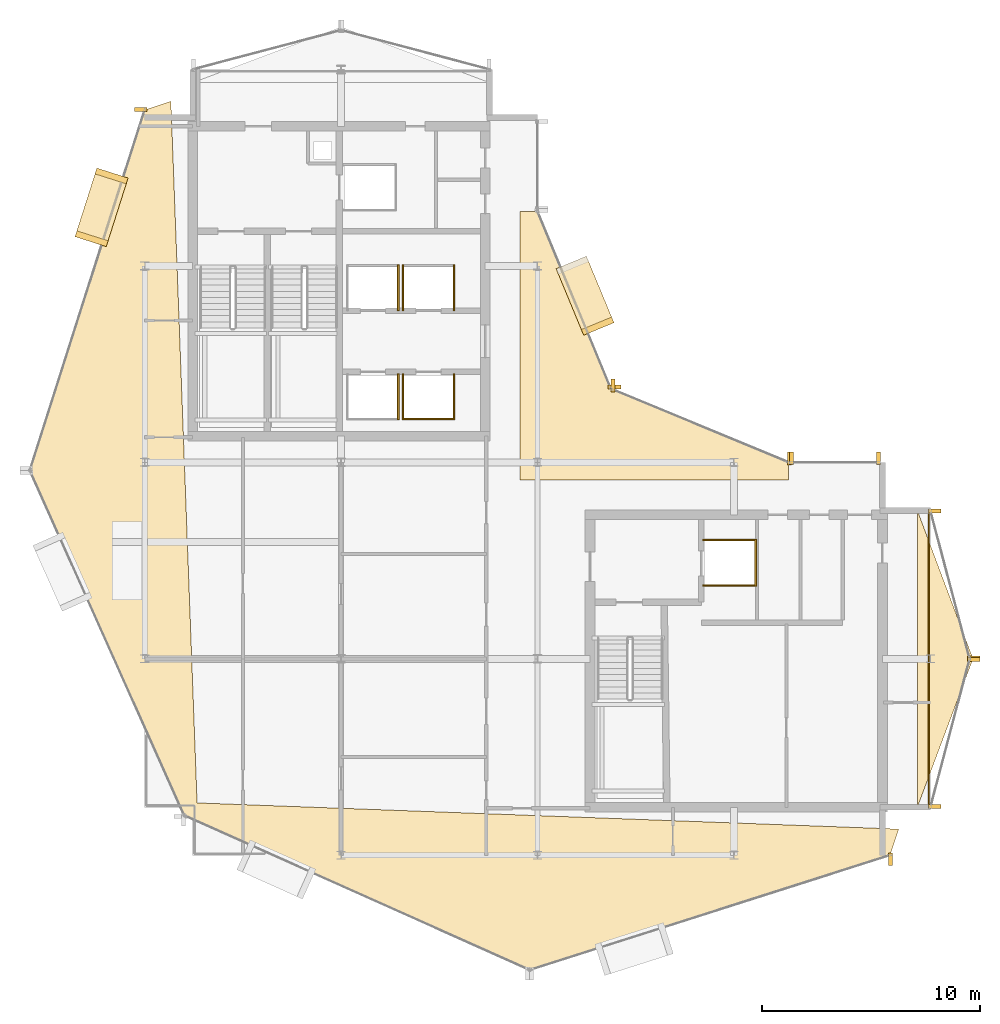
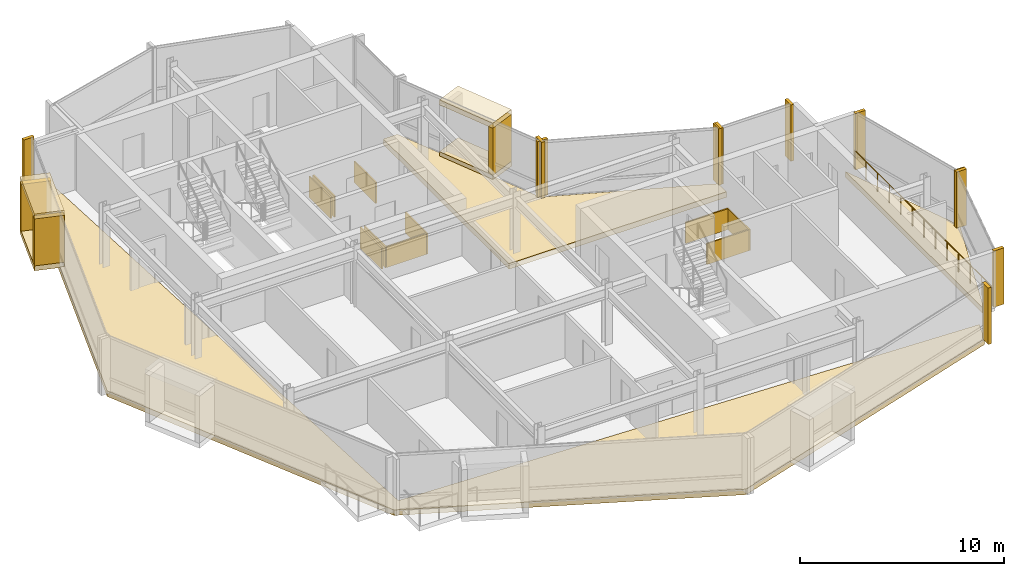
# One storey, part 18 of 19: 31 coverings, 1 railing.
"""IFC4 building model written with IfcOpenShell, lengths in metres."""

from ifc_helpers import new_model, si_unit, direction, frame, origin, origin_2d, place, context, subcontext, project, spatial, polyline, rectangle, circle, outline, extrude, material, layer, layer_set, type_object, element, save


model = new_model("IFC4")

# Units and contexts
model_context = context("Model", 3, precision=1e-05, world=origin(), true_north=direction((0.0, 1.0)))
body_context = subcontext(model_context, "Body", "Model", "MODEL_VIEW")
ifc_project = project(units=[si_unit("LENGTHUNIT", "METRE"), si_unit("AREAUNIT", "SQUARE_METRE"), si_unit("VOLUMEUNIT", "CUBIC_METRE"), si_unit("PLANEANGLEUNIT", "RADIAN"), si_unit("MASSUNIT", "GRAM", prefix="KILO")], contexts=[model_context])

# Site, building, storey
site_placement = place(None, origin())
site = spatial("IfcSite", under=ifc_project, at=site_placement, CompositionType="ELEMENT")
building_placement = place(site_placement, origin())
building = spatial("IfcBuilding", under=site, at=building_placement, Name="Solvaryn Broadcast Tower", CompositionType="ELEMENT")
storey_placement = place(building_placement, frame((0.0, 0.0, 281.5)))
storey = spatial("IfcBuildingStorey", under=building, at=storey_placement, Name="L71", CompositionType="ELEMENT", Elevation=281.5)

# Coverings
ifc_material_1 = material(Name="Fire-Rated Gypsum Shaftwall Liner", Category="concrete")
ifc_layer_1 = layer(ifc_material_1, 0.080078125)
ifc_layer_set_1 = layer_set([ifc_layer_1], Name="CV-SHAFT-LINER")
covering_type_1 = type_object("IfcCoveringType", Name="CV-SHAFT-LINER", PredefinedType="CLADDING", material=ifc_layer_set_1)
covering_1_placement = place(storey_placement, frame((20.614990234375, 30.0, 0.0), z_axis=(0.0, 0.0, 1.0), x_axis=(1.0, 0.0, 0.0)))
element("IfcCovering", 1, at=covering_1_placement, inside=storey, type_object=covering_type_1, Name="L71 PH1 Hoistway Shaft Liner East", PredefinedType="CLADDING", context=body_context, shape_type="SweptSolid", body=[
    extrude(rectangle(XDim=0.080078125, YDim=2.110107421875, at=origin_2d()), origin(), (0.0, 0.0, 1.0), 1.25),
])
covering_2_placement = place(storey_placement, frame((22.0, 28.985107421875, 0.0), z_axis=(0.0, 0.0, 1.0), x_axis=(1.0, 0.0, 0.0)))
element("IfcCovering", 2, at=covering_2_placement, inside=storey, type_object=covering_type_1, Name="L71 PH2 Hoistway Shaft Liner South", PredefinedType="CLADDING", context=body_context, shape_type="SweptSolid", body=[
    extrude(rectangle(XDim=2.409912109375, YDim=0.080078125, at=origin_2d()), origin(), (0.0, 0.0, 1.0), 1.25),
])
for number, where, z_axis, x_axis, name in (
    (3, (23.1650390625, 30.0, 0.0), (0.0, 0.0, 1.0), (1.0, 0.0, 0.0), "L71 PH2 Hoistway Shaft Liner East"),
    (4, (20.8349609375, 30.0, 0.0), (0.0, 0.0, 1.0), (1.0, 0.0, 0.0), "L71 PH2 Hoistway Shaft Liner West"),
    (5, (20.614990234375, 35.0, 0.0), (0.0, 0.0, 1.0), (1.0, 0.0, 0.0), "L71 PH3 Hoistway Shaft Liner East"),
    (6, (23.1650390625, 35.0, 0.0), (0.0, 0.0, 1.0), (1.0, 0.0, 0.0), "L71 PH4 Hoistway Shaft Liner East"),
    (7, (20.8349609375, 35.0, 0.0), (0.0, 0.0, 1.0), (1.0, 0.0, 0.0), "L71 PH4 Hoistway Shaft Liner West"),
):
    element("IfcCovering", number, at=place(storey_placement, frame(where, z_axis=z_axis, x_axis=x_axis)), inside=storey, type_object=covering_type_1, Name=name, PredefinedType="CLADDING", context=body_context, shape_type="SweptSolid", body=[
        extrude(rectangle(XDim=0.080078125, YDim=2.110107421875, at=origin_2d()), origin(), (0.0, 0.0, 1.0), 1.25),
    ])
for number, where, z_axis, x_axis, name in (
    (8, (35.800048828125, 23.43994140625, 0.0), (0.0, 0.0, 1.0), (1.0, 0.0, 0.0), "L71 FL2 Hoistway Shaft Liner North"),
    (9, (35.800048828125, 21.360107421875, 0.0), (0.0, 0.0, 1.0), (1.0, 0.0, 0.0), "L71 FL2 Hoistway Shaft Liner South"),
):
    element("IfcCovering", number, at=place(storey_placement, frame(where, z_axis=z_axis, x_axis=x_axis)), inside=storey, type_object=covering_type_1, Name=name, PredefinedType="CLADDING", context=body_context, shape_type="SweptSolid", body=[
        extrude(rectangle(XDim=2.4599609375, YDim=0.080078125, at=origin_2d()), origin(), (0.0, 0.0, 1.0), 1.25),
    ])
covering_3_placement = place(storey_placement, frame((36.989990234375, 22.39990234375, 0.0), z_axis=(0.0, 0.0, 1.0), x_axis=(1.0, 0.0, 0.0)))
element("IfcCovering", 10, at=covering_3_placement, inside=storey, type_object=covering_type_1, Name="L71 FL2 Hoistway Shaft Liner East", PredefinedType="CLADDING", context=body_context, shape_type="SweptSolid", body=[
    extrude(rectangle(XDim=0.080078125, YDim=2.159912109375, at=origin_2d()), origin(), (0.0, 0.0, 1.0), 1.25),
])
ifc_material_2 = material(Name="Glazed Architectural Terracotta Rainscreen Cladding", Category="masonry")
ifc_layer_2 = layer(ifc_material_2, 0.280029296875)
ifc_layer_set_2 = layer_set([ifc_layer_2], Name="CV-TC-CLAD")
covering_type_2 = type_object("IfcCoveringType", Name="CV-TC-CLAD", PredefinedType="CLADDING", material=ifc_layer_set_2)
for number, where, z_axis, x_axis, name in (
    (11, (7.02197265625, 38.68603515625, 3.080078125), (0.0, 0.0, 1.0), (-0.303534206887, -0.952820541996, 0.0), "L71 Projecting Stone Window Box Hood 1"),
    (12, (7.02197265625, 38.68603515625, -0.01025390625), (0.0, 0.0, 1.0), (-0.303534206887, -0.952820541996, 0.0), "L71 Projecting Stone Window Box Sill 1"),
):
    element("IfcCovering", number, at=place(storey_placement, frame(where, z_axis=z_axis, x_axis=x_axis)), inside=storey, type_object=covering_type_2, Name=name, PredefinedType="CLADDING", context=body_context, shape_type="SweptSolid", body=[
        extrude(rectangle(XDim=3.300048828125, YDim=1.5, at=origin_2d()), origin(), (0.0, 0.0, 1.0), 0.300048828125),
    ])
for number, where, z_axis, x_axis, name in (
    (13, (7.480224609375, 40.124755859375, 0.280029296875), (0.0, 0.0, 1.0), (-0.303534206887, -0.952820541996, 0.0), "L71 Projecting Stone Window Box Cheek 1-1"),
    (14, (6.563720703125, 37.247314453125, 0.280029296875), (0.0, 0.0, 1.0), (-0.303534206887, -0.952820541996, 0.0), "L71 Projecting Stone Window Box Cheek 1-2"),
):
    element("IfcCovering", number, at=place(storey_placement, frame(where, z_axis=z_axis, x_axis=x_axis)), inside=storey, type_object=covering_type_2, Name=name, PredefinedType="CLADDING", context=body_context, shape_type="SweptSolid", body=[
        extrude(rectangle(XDim=0.280029296875, YDim=1.5, at=origin_2d()), origin(), (0.0, 0.0, 1.0), 2.81005859375),
    ])
for number, where, z_axis, x_axis, name in (
    (15, (29.174072265625, 34.636962890625, 3.080078125), (0.0, 0.0, 1.0), (-0.382683432365, 0.923879532511, 0.0), "L71 Projecting Stone Window Box Hood 5"),
    (16, (29.174072265625, 34.636962890625, -0.01025390625), (0.0, 0.0, 1.0), (-0.382683432365, 0.923879532511, 0.0), "L71 Projecting Stone Window Box Sill 5"),
):
    element("IfcCovering", number, at=place(storey_placement, frame(where, z_axis=z_axis, x_axis=x_axis)), inside=storey, type_object=covering_type_2, Name=name, PredefinedType="CLADDING", context=body_context, shape_type="SweptSolid", body=[
        extrude(rectangle(XDim=3.300048828125, YDim=1.5, at=origin_2d()), origin(), (0.0, 0.0, 1.0), 0.300048828125),
    ])
covering_4_placement = place(storey_placement, frame((29.751953125, 33.241943359375, 0.280029296875), z_axis=(0.0, 0.0, 1.0), x_axis=(-0.382683432365, 0.923879532511, 0.0)))
element("IfcCovering", 17, at=covering_4_placement, inside=storey, type_object=covering_type_2, Name="L71 Projecting Stone Window Box Cheek 5-1", PredefinedType="CLADDING", context=body_context, shape_type="SweptSolid", body=[
    extrude(rectangle(XDim=0.280029296875, YDim=1.5, at=origin_2d()), origin(), (0.0, 0.0, 1.0), 2.81005859375),
])
ifc_material_3 = material(Name="Extruded Architectural Terracotta Fin", Category="masonry")
ifc_layer_3 = layer(ifc_material_3, 0.179931640625)
ifc_layer_set_3 = layer_set([ifc_layer_3], Name="CV-TC-FIN")
covering_type_3 = type_object("IfcCoveringType", Name="CV-TC-FIN", PredefinedType="USERDEFINED", material=ifc_layer_set_3)
covering_5_placement = place(storey_placement, frame((8.819091796875, 43.17529296875, 0.0), z_axis=(0.0, 0.0, 1.0), x_axis=(1.0, 0.0, 0.0)))
element("IfcCovering", 18, at=covering_5_placement, inside=storey, type_object=covering_type_3, Name="L71 Terracotta Vertical Fin FIN-L71-DR1-M00", ObjectType="FIN", PredefinedType="USERDEFINED", context=body_context, shape_type="SweptSolid", body=[
    extrude(rectangle(XDim=0.580078125, YDim=0.179931640625, at=origin_2d()), origin(), (0.0, 0.0, 1.0), 3.3701171875),
])
for number, where, z_axis, x_axis, name in (
    (19, (43.17529296875, 8.819091796875, 0.0), (0.0, 0.0, 1.0), (1.0, 0.0, 0.0), "L71 Terracotta Vertical Fin FIN-L71-DR4-M01"),
    (20, (38.541259765625, 27.177978515625, 0.0), (0.0, 0.0, 1.0), (1.0, 0.0, 0.0), "L71 Terracotta Vertical Fin FIN-L71-CN1-M00"),
    (21, (30.464599609375, 30.52294921875, 0.0), (0.0, 0.0, 1.0), (1.0, 0.0, 0.0), "L71 Terracotta Vertical Fin FIN-L71-CN1-M01"),
):
    element("IfcCovering", number, at=place(storey_placement, frame(where, z_axis=z_axis, x_axis=x_axis)), inside=storey, type_object=covering_type_3, Name=name, ObjectType="FIN", PredefinedType="USERDEFINED", context=body_context, shape_type="SweptSolid", body=[
        extrude(rectangle(XDim=0.179931640625, YDim=0.580078125, at=origin_2d()), origin(), (0.0, 0.0, 1.0), 3.3701171875),
    ])
for number, where, z_axis, x_axis, name in (
    (22, (30.52294921875, 30.464599609375, 0.0), (0.0, 0.0, 1.0), (1.0, 0.0, 0.0), "L71 Terracotta Vertical Fin FIN-L71-CN2-M00"),
    (23, (45.1953125, 24.77099609375, 0.0), (0.0, 0.0, 1.0), (1.0, 0.0, 0.0), "L71 Terracotta Vertical Fin FIN-L71-ET1-M00"),
    (24, (46.979736328125, 18.029052734375, 0.0), (0.0, 0.0, 1.0), (1.0, 0.0, 0.0), "L71 Terracotta Vertical Fin FIN-L71-ET1-M01"),
    (25, (46.979736328125, 17.970947265625, 0.0), (0.0, 0.0, 1.0), (1.0, 0.0, 0.0), "L71 Terracotta Vertical Fin FIN-L71-ET2-M00"),
    (26, (45.1953125, 11.22900390625, 0.0), (0.0, 0.0, 1.0), (1.0, 0.0, 0.0), "L71 Terracotta Vertical Fin FIN-L71-ET2-M01"),
):
    element("IfcCovering", number, at=place(storey_placement, frame(where, z_axis=z_axis, x_axis=x_axis)), inside=storey, type_object=covering_type_3, Name=name, ObjectType="FIN", PredefinedType="USERDEFINED", context=body_context, shape_type="SweptSolid", body=[
        extrude(rectangle(XDim=0.580078125, YDim=0.179931640625, at=origin_2d()), origin(), (0.0, 0.0, 1.0), 3.3701171875),
    ])
for number, where, z_axis, x_axis, name in (
    (27, (38.6298828125, 27.1875, 0.0), (0.0, 0.0, 1.0), (1.0, 0.0, 0.0), "L71 Terracotta Vertical Fin FIN-L71-IH-M00"),
    (28, (42.6201171875, 27.1875, 0.0), (0.0, 0.0, 1.0), (1.0, 0.0, 0.0), "L71 Terracotta Vertical Fin FIN-L71-IH-M01"),
):
    element("IfcCovering", number, at=place(storey_placement, frame(where, z_axis=z_axis, x_axis=x_axis)), inside=storey, type_object=covering_type_3, Name=name, ObjectType="FIN", PredefinedType="USERDEFINED", context=body_context, shape_type="SweptSolid", body=[
        extrude(rectangle(XDim=0.179931640625, YDim=0.580078125, at=origin_2d()), origin(), (0.0, 0.0, 1.0), 3.3701171875),
    ])
ifc_material_4 = material(Name="Sculpted Architectural Terracotta Wave Fascia", Category="masonry")
ifc_layer_4 = layer(ifc_material_4, 0.340087890625)
ifc_layer_set_4 = layer_set([ifc_layer_4], Name="CV-WAVE-TRAY")
covering_type_4 = type_object("IfcCoveringType", Name="CV-WAVE-TRAY", PredefinedType="CLADDING", material=ifc_layer_set_4)
covering_6_placement = place(storey_placement, frame((0.0, 0.0, -0.300048828125)))
element("IfcCovering", 29, at=covering_6_placement, inside=storey, type_object=covering_type_4, Name="L71 Stepped Cylindrical Drum Floor Apron", PredefinedType="CLADDING", context=body_context, shape_type="SweptSolid", body=[
    extrude(outline(polyline([(10.199951171875, 43.549072265625), (9.0, 43.14892578125), (3.738037109375, 26.635986328125), (10.81689453125, 10.81689453125), (26.635986328125, 3.738037109375), (43.14892578125, 9.0), (43.14892578125, 9.0), (43.549072265625, 10.199951171875), (11.39990234375, 11.39990234375), (10.199951171875, 43.549072265625)])), origin(), (0.0, 0.0, 1.0), 0.330078125),
])
covering_7_placement = place(storey_placement, frame((0.0, 0.0, -0.300048828125)))
element("IfcCovering", 30, at=covering_7_placement, inside=storey, type_object=covering_type_4, Name="L71 Concave Canyon Floor Apron", PredefinedType="CLADDING", context=body_context, shape_type="SweptSolid", body=[
    extrude(outline(polyline([(26.199951171875, 26.199951171875), (38.5, 26.199951171875), (38.5, 27.0), (30.367919921875, 30.367919921875), (27.0, 38.5), (26.199951171875, 38.5), (26.199951171875, 26.199951171875)])), origin(), (0.0, 0.0, 1.0), 0.330078125),
])
covering_8_placement = place(storey_placement, frame((0.0, 0.0, -0.300048828125)))
element("IfcCovering", 31, at=covering_8_placement, inside=storey, type_object=covering_type_4, Name="L71 East Curved Wing Deck", PredefinedType="CLADDING", context=body_context, shape_type="SweptSolid", body=[
    extrude(outline(polyline([(44.39990234375, 11.199951171875), (46.949951171875, 18.0), (44.39990234375, 24.800048828125), (44.39990234375, 11.199951171875)])), origin(), (0.0, 0.0, 1.0), 0.330078125),
])

# Railing
ifc_material_5 = material(Name="Stainless Steel and Laminated Glass Guard", Category="steel")
railing_type = type_object("IfcRailingType", Name="RL-TER-1150", PredefinedType="BALUSTRADE", material=ifc_material_5)
railing_placement = place(storey_placement, frame((44.919921875, 11.199951171875, 0.0)))
element("IfcRailing", 32, at=railing_placement, inside=storey, type_object=railing_type, Name="L71 East Wing Spandrel Edge Guard", PredefinedType="BALUSTRADE", context=body_context, shape_type="SweptSolid", body=[
    extrude(circle(Radius=0.02392578125, at=origin_2d()), frame((0.0, 0.0, 1.1259765625), z_axis=(0.0, 1.0, 0.0), x_axis=(-1.0, 0.0, 0.0)), (0.0, 0.0, 1.0), 13.60009765625),
    extrude(circle(Radius=0.02099609375, at=origin_2d()), origin(), (0.0, 0.0, 1.0), 1.101806640625),
    extrude(circle(Radius=0.02099609375, at=origin_2d()), frame((0.0, 1.13330078125, 0.0)), (0.0, 0.0, 1.0), 1.101806640625),
    extrude(circle(Radius=0.02099609375, at=origin_2d()), frame((0.0, 2.2666015625, 0.0)), (0.0, 0.0, 1.0), 1.101806640625),
    extrude(circle(Radius=0.02099609375, at=origin_2d()), frame((0.0, 3.39990234375, 0.0)), (0.0, 0.0, 1.0), 1.101806640625),
    extrude(circle(Radius=0.02099609375, at=origin_2d()), frame((0.0, 4.533447265625, 0.0)), (0.0, 0.0, 1.0), 1.101806640625),
    extrude(circle(Radius=0.02099609375, at=origin_2d()), frame((0.0, 5.666748046875, 0.0)), (0.0, 0.0, 1.0), 1.101806640625),
    extrude(circle(Radius=0.02099609375, at=origin_2d()), frame((0.0, 6.800048828125, 0.0)), (0.0, 0.0, 1.0), 1.101806640625),
    extrude(circle(Radius=0.02099609375, at=origin_2d()), frame((0.0, 7.933349609375, 0.0)), (0.0, 0.0, 1.0), 1.101806640625),
    extrude(circle(Radius=0.02099609375, at=origin_2d()), frame((0.0, 9.066650390625, 0.0)), (0.0, 0.0, 1.0), 1.101806640625),
    extrude(circle(Radius=0.02099609375, at=origin_2d()), frame((0.0, 10.2001953125, 0.0)), (0.0, 0.0, 1.0), 1.101806640625),
    extrude(circle(Radius=0.02099609375, at=origin_2d()), frame((0.0, 11.33349609375, 0.0)), (0.0, 0.0, 1.0), 1.101806640625),
    extrude(circle(Radius=0.02099609375, at=origin_2d()), frame((0.0, 12.466796875, 0.0)), (0.0, 0.0, 1.0), 1.101806640625),
    extrude(circle(Radius=0.02099609375, at=origin_2d()), frame((0.0, 13.60009765625, 0.0)), (0.0, 0.0, 1.0), 1.101806640625),
])

save(model, "model.ifc")
